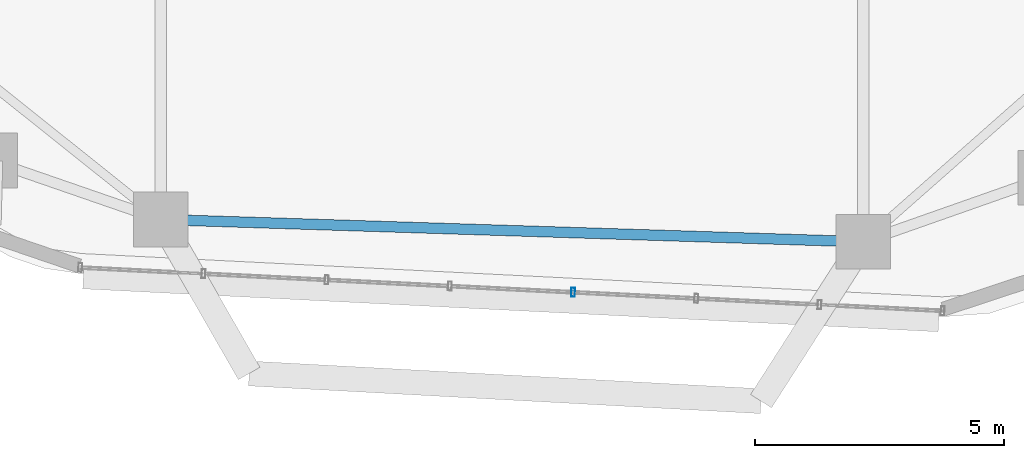
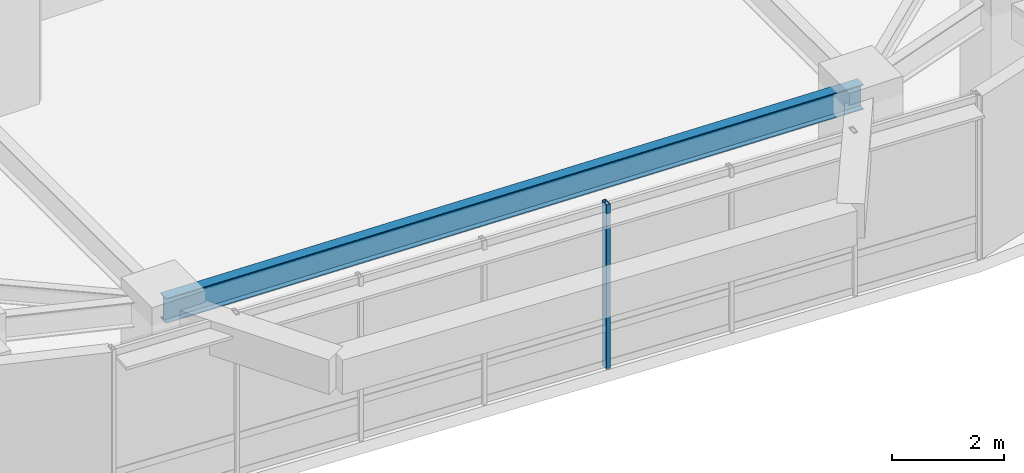
# One storey, part 4 of 14: 1 beam, 1 member, 1 element without a shape of its own.
"""IFC4 building model written with IfcOpenShell, lengths in metres."""

from ifc_helpers import new_model, si_unit, direction, frame, origin, origin_2d, place, context, subcontext, project, spatial, hollow_rectangle, i_section, extrude, material, material_profile, profile_set, type_object, element, aggregate, save


model = new_model("IFC4")

# Units and contexts
model_context = context("Model", 3, precision=1e-05, world=origin(), true_north=direction((0.0, 1.0)))
body_context = subcontext(model_context, "Body", "Model", "MODEL_VIEW")
ifc_project = project(units=[si_unit("LENGTHUNIT", "METRE"), si_unit("AREAUNIT", "SQUARE_METRE"), si_unit("VOLUMEUNIT", "CUBIC_METRE"), si_unit("PLANEANGLEUNIT", "RADIAN"), si_unit("MASSUNIT", "GRAM", prefix="KILO")], contexts=[model_context])

# Site, building, storey
site_placement = place(None, origin())
site = spatial("IfcSite", under=ifc_project, at=site_placement, CompositionType="ELEMENT")
building_placement = place(site_placement, origin())
building = spatial("IfcBuilding", under=site, at=building_placement, Name="Zulverin Broadcast Headquarters", CompositionType="ELEMENT")
storey_placement = place(building_placement, frame((0.0, 0.0, 140.199951171875)))
storey = spatial("IfcBuildingStorey", under=building, at=storey_placement, Name="L35", CompositionType="ELEMENT", Elevation=140.199951171875)

# Beam
ifc_material_1 = material(Name="Structural steel S355JR", Category="steel")
ifc_material_profile_1 = material_profile(ifc_material_1, i_section(OverallWidth=0.2119140625, OverallDepth=0.54443359375, WebThickness=0.0126953125, FlangeThickness=0.021240234375, at=origin_2d()), Name="Structural steel S355JR", Category="steel")
ifc_profile_set_1 = profile_set([ifc_material_profile_1], Name="Structural steel S355JR")
beam_type = type_object("IfcBeamType", Name="BM-UB-533", PredefinedType="SPANDREL", material=ifc_profile_set_1)
beam_placement = place(storey_placement, frame((30.80859375, 4.12744140625, 3.267822265625), z_axis=(0.999497363437, -0.031702058031, 0.0), x_axis=(0.031702058031, 0.999497363437, 0.0)))
element("IfcBeam", 1, at=beam_placement, inside=storey, type_object=beam_type, Name="L35 Perimeter Spandrel Beam SP-01", PredefinedType="SPANDREL", context=body_context, shape_type="SweptSolid", body=[
    extrude(i_section(OverallWidth=0.2119140625, OverallDepth=0.54443359375, WebThickness=0.0126953125, FlangeThickness=0.021240234375, at=origin_2d()), origin(), (0.0, 0.0, 1.0), 14.1083984375),
])

# Curtain wall, member
ifc_material_2 = material(Name="Waist wind-pressure unitised curtain wall", Category="aluminium")
curtain_wall_type = type_object("IfcCurtainWallType", Name="CW-TWR-WST", PredefinedType="USERDEFINED", material=ifc_material_2)
curtain_wall_placement = place(storey_placement, origin())
curtain_wall = element("IfcCurtainWall", 2, at=curtain_wall_placement, inside=storey, type_object=curtain_wall_type, Name="L35 Unitised Curtain Wall CW-L35-E1", ObjectType="UNITISED CURTAIN WALL", PredefinedType="USERDEFINED")
ifc_material_3 = material(Name="Anodized pale-metal aluminium alloy 6063-T6", Category="aluminium")
ifc_material_profile_2 = material_profile(ifc_material_3, hollow_rectangle(XDim=0.074951171875, YDim=0.179931640625, WallThickness=0.0048828125, at=origin_2d()), Name="Anodized pale-metal aluminium alloy 6063-T6", Category="aluminium")
ifc_profile_set_2 = profile_set([ifc_material_profile_2], Name="Anodized pale-metal aluminium alloy 6063-T6")
member_type = type_object("IfcMemberType", Name="CW-MUL-180", PredefinedType="MULLION", material=ifc_profile_set_2)
member_placement = place(storey_placement, frame((39.0859375, 2.66748046875, -0.030029296875), z_axis=(0.0, 0.0, 1.0), x_axis=(0.99874387485, -0.050106610841, 0.0)))
member = element("IfcMember", 3, at=member_placement, type_object=member_type, Name="CW-L35-E1 Mullion 04", PredefinedType="MULLION", context=body_context, shape_type="SweptSolid", body=[
    extrude(hollow_rectangle(XDim=0.074951171875, YDim=0.179931640625, WallThickness=0.0048828125, at=origin_2d()), origin(), (0.0, 0.0, 1.0), 3.60009765625),
])
aggregate(curtain_wall, [member])

save(model, "model.ifc")
